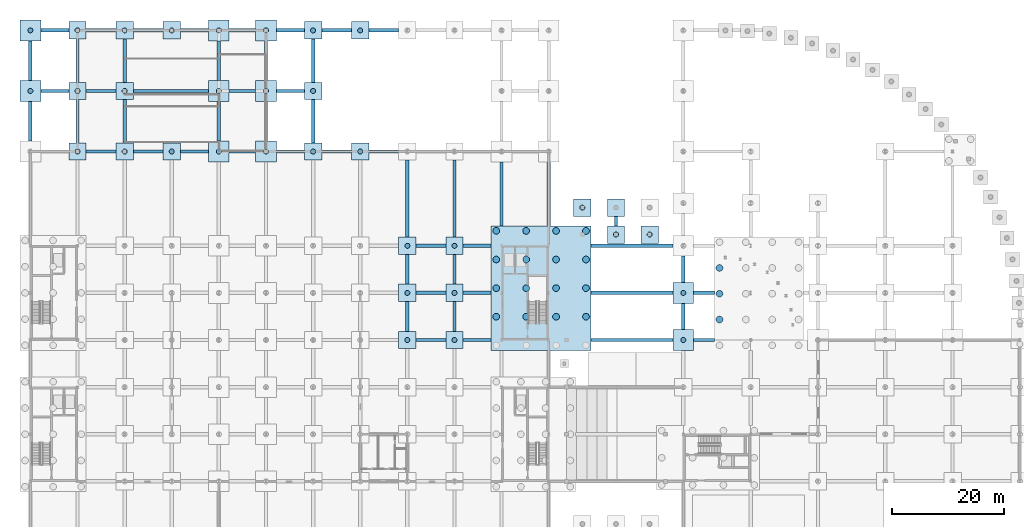
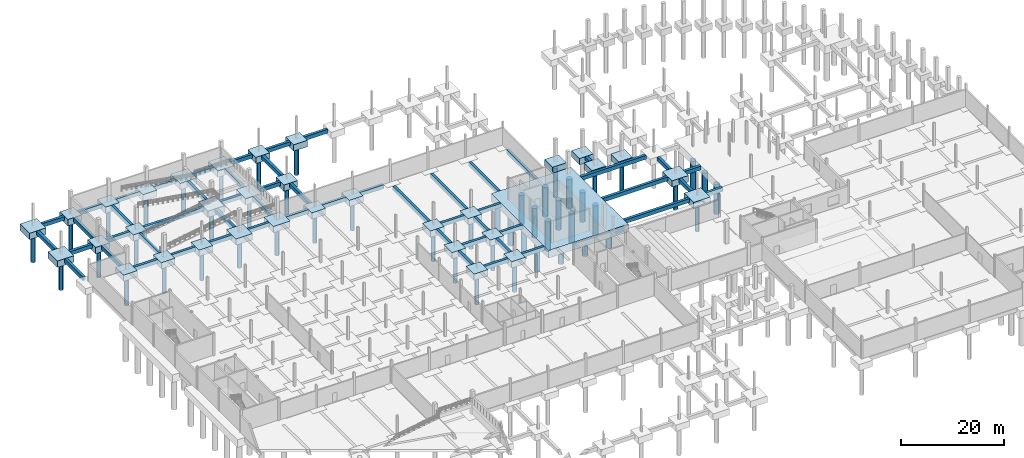
# One storey, part 4 of 36: 88 footings, 51 piles.
"""IFC4 building model written with IfcOpenShell, lengths in metres."""

from ifc_helpers import new_model, si_unit, direction, frame, origin, origin_2d, place, context, subcontext, project, spatial, rectangle, circle, extrude, material, material_profile, profile_set, type_object, element, save


model = new_model("IFC4")

# Units and contexts
model_context = context("Model", 3, precision=1e-05, world=origin(), true_north=direction((0.0, 1.0)))
body_context = subcontext(model_context, "Body", "Model", "MODEL_VIEW")
ifc_project = project(units=[si_unit("LENGTHUNIT", "METRE"), si_unit("AREAUNIT", "SQUARE_METRE"), si_unit("VOLUMEUNIT", "CUBIC_METRE"), si_unit("PLANEANGLEUNIT", "RADIAN"), si_unit("MASSUNIT", "GRAM", prefix="KILO"), si_unit("THERMODYNAMICTEMPERATUREUNIT", "KELVIN"), si_unit("POWERUNIT", "WATT")], contexts=[model_context])

# Site, building, storey
site_placement = place(None, origin())
site = spatial("IfcSite", under=ifc_project, at=site_placement, CompositionType="ELEMENT")
building_placement = place(site_placement, origin())
building = spatial("IfcBuilding", under=site, at=building_placement, Name="Tembeka Court Mobility Hub", CompositionType="ELEMENT")
storey_placement = place(building_placement, frame((0.0, 0.0, -5.39990234375)))
storey = spatial("IfcBuildingStorey", under=building, at=storey_placement, Name="B1", CompositionType="ELEMENT", Elevation=-5.39990234375)

# Footings
ifc_material = material(Name="Concrete C40/50", Category="concrete")
footing_type_1 = type_object("IfcFootingType", Name="FT-GB01", PredefinedType="FOOTING_BEAM", material=ifc_material)
footing_1_placement = place(storey_placement, frame((71.39990234375, 63.60009765625, -0.900146484375), z_axis=(0.0, 0.0, 1.0), x_axis=(1.0, 0.0, 0.0)))
element("IfcFooting", 1, at=footing_1_placement, inside=storey, type_object=footing_type_1, Name="Ground tie beam GB01 X-093", PredefinedType="FOOTING_BEAM", context=body_context, shape_type="SweptSolid", body=[
    extrude(rectangle(XDim=5.300048828125, YDim=0.60009765625, at=origin_2d()), origin(), (0.0, 0.0, 1.0), 0.89990234375),
])
footing_2_placement = place(storey_placement, frame((79.64990234375, 63.60009765625, -0.900146484375), z_axis=(0.0, 0.0, 1.0), x_axis=(1.0, 0.0, 0.0)))
element("IfcFooting", 2, at=footing_2_placement, inside=storey, type_object=footing_type_1, Name="Ground tie beam GB01 X-094", PredefinedType="FOOTING_BEAM", context=body_context, shape_type="SweptSolid", body=[
    extrude(rectangle(XDim=5.0, YDim=0.60009765625, at=origin_2d()), origin(), (0.0, 0.0, 1.0), 0.89990234375),
])
footing_3_placement = place(storey_placement, frame((107.25, 63.60009765625, -0.900146484375), z_axis=(0.0, 0.0, 1.0), x_axis=(1.0, 0.0, 0.0)))
element("IfcFooting", 3, at=footing_3_placement, inside=storey, type_object=footing_type_1, Name="Ground tie beam GB01 X-095", PredefinedType="FOOTING_BEAM", context=body_context, shape_type="SweptSolid", body=[
    extrude(rectangle(XDim=14.60009765625, YDim=0.60009765625, at=origin_2d()), origin(), (0.0, 0.0, 1.0), 0.89990234375),
])
footing_4_placement = place(storey_placement, frame((120.10009765625, 63.60009765625, -0.900146484375), z_axis=(0.0, 0.0, 1.0), x_axis=(1.0, 0.0, 0.0)))
element("IfcFooting", 4, at=footing_4_placement, inside=storey, type_object=footing_type_1, Name="Ground tie beam GB01 X-096", PredefinedType="FOOTING_BEAM", context=body_context, shape_type="SweptSolid", body=[
    extrude(rectangle(XDim=3.699951171875, YDim=0.60009765625, at=origin_2d()), origin(), (0.0, 0.0, 1.0), 0.89990234375),
])
footing_5_placement = place(storey_placement, frame((71.39990234375, 72.0, -0.900146484375), z_axis=(0.0, 0.0, 1.0), x_axis=(1.0, 0.0, 0.0)))
element("IfcFooting", 5, at=footing_5_placement, inside=storey, type_object=footing_type_1, Name="Ground tie beam GB01 X-107", PredefinedType="FOOTING_BEAM", context=body_context, shape_type="SweptSolid", body=[
    extrude(rectangle(XDim=5.300048828125, YDim=0.60009765625, at=origin_2d()), origin(), (0.0, 0.0, 1.0), 0.89990234375),
])
footing_6_placement = place(storey_placement, frame((79.64990234375, 72.0, -0.900146484375), z_axis=(0.0, 0.0, 1.0), x_axis=(1.0, 0.0, 0.0)))
element("IfcFooting", 6, at=footing_6_placement, inside=storey, type_object=footing_type_1, Name="Ground tie beam GB01 X-108", PredefinedType="FOOTING_BEAM", context=body_context, shape_type="SweptSolid", body=[
    extrude(rectangle(XDim=5.0, YDim=0.60009765625, at=origin_2d()), origin(), (0.0, 0.0, 1.0), 0.89990234375),
])
footing_7_placement = place(storey_placement, frame((107.25, 72.0, -0.900146484375), z_axis=(0.0, 0.0, 1.0), x_axis=(1.0, 0.0, 0.0)))
element("IfcFooting", 7, at=footing_7_placement, inside=storey, type_object=footing_type_1, Name="Ground tie beam GB01 X-109", PredefinedType="FOOTING_BEAM", context=body_context, shape_type="SweptSolid", body=[
    extrude(rectangle(XDim=14.60009765625, YDim=0.60009765625, at=origin_2d()), origin(), (0.0, 0.0, 1.0), 0.89990234375),
])
footing_8_placement = place(storey_placement, frame((120.10009765625, 72.0, -0.900146484375), z_axis=(0.0, 0.0, 1.0), x_axis=(1.0, 0.0, 0.0)))
element("IfcFooting", 8, at=footing_8_placement, inside=storey, type_object=footing_type_1, Name="Ground tie beam GB01 X-110", PredefinedType="FOOTING_BEAM", context=body_context, shape_type="SweptSolid", body=[
    extrude(rectangle(XDim=3.699951171875, YDim=0.60009765625, at=origin_2d()), origin(), (0.0, 0.0, 1.0), 0.89990234375),
])
footing_9_placement = place(storey_placement, frame((71.39990234375, 80.39990234375, -0.900146484375), z_axis=(0.0, 0.0, 1.0), x_axis=(1.0, 0.0, 0.0)))
element("IfcFooting", 9, at=footing_9_placement, inside=storey, type_object=footing_type_1, Name="Ground tie beam GB01 X-121", PredefinedType="FOOTING_BEAM", context=body_context, shape_type="SweptSolid", body=[
    extrude(rectangle(XDim=5.300048828125, YDim=0.60009765625, at=origin_2d()), origin(), (0.0, 0.0, 1.0), 0.89990234375),
])
footing_10_placement = place(storey_placement, frame((79.64990234375, 80.39990234375, -0.900146484375), z_axis=(0.0, 0.0, 1.0), x_axis=(1.0, 0.0, 0.0)))
element("IfcFooting", 10, at=footing_10_placement, inside=storey, type_object=footing_type_1, Name="Ground tie beam GB01 X-122", PredefinedType="FOOTING_BEAM", context=body_context, shape_type="SweptSolid", body=[
    extrude(rectangle(XDim=5.0, YDim=0.60009765625, at=origin_2d()), origin(), (0.0, 0.0, 1.0), 0.89990234375),
])
footing_11_placement = place(storey_placement, frame((107.25, 80.39990234375, -0.900146484375), z_axis=(0.0, 0.0, 1.0), x_axis=(1.0, 0.0, 0.0)))
element("IfcFooting", 11, at=footing_11_placement, inside=storey, type_object=footing_type_1, Name="Ground tie beam GB01 X-123", PredefinedType="FOOTING_BEAM", context=body_context, shape_type="SweptSolid", body=[
    extrude(rectangle(XDim=14.60009765625, YDim=0.60009765625, at=origin_2d()), origin(), (0.0, 0.0, 1.0), 0.89990234375),
])
for number, where, z_axis, x_axis, name in (
    (12, (12.60009765625, 97.199951171875, -0.900146484375), (0.0, 0.0, 1.0), (1.0, 0.0, 0.0), "Ground tie beam GB01 X-129"),
    (13, (21.0, 97.199951171875, -0.900146484375), (0.0, 0.0, 1.0), (1.0, 0.0, 0.0), "Ground tie beam GB01 X-130"),
):
    element("IfcFooting", number, at=place(storey_placement, frame(where, z_axis=z_axis, x_axis=x_axis)), inside=storey, type_object=footing_type_1, Name=name, PredefinedType="FOOTING_BEAM", context=body_context, shape_type="SweptSolid", body=[
        extrude(rectangle(XDim=5.300048828125, YDim=0.60009765625, at=origin_2d()), origin(), (0.0, 0.0, 1.0), 0.89990234375),
    ])
footing_12_placement = place(storey_placement, frame((29.25, 97.199951171875, -0.900146484375), z_axis=(0.0, 0.0, 1.0), x_axis=(1.0, 0.0, 0.0)))
element("IfcFooting", 14, at=footing_12_placement, inside=storey, type_object=footing_type_1, Name="Ground tie beam GB01 X-131", PredefinedType="FOOTING_BEAM", context=body_context, shape_type="SweptSolid", body=[
    extrude(rectangle(XDim=5.0, YDim=0.60009765625, at=origin_2d()), origin(), (0.0, 0.0, 1.0), 0.89990234375),
])
footing_13_placement = place(storey_placement, frame((37.800048828125, 97.199951171875, -0.900146484375), z_axis=(0.0, 0.0, 1.0), x_axis=(1.0, 0.0, 0.0)))
element("IfcFooting", 15, at=footing_13_placement, inside=storey, type_object=footing_type_1, Name="Ground tie beam GB01 X-132", PredefinedType="FOOTING_BEAM", context=body_context, shape_type="SweptSolid", body=[
    extrude(rectangle(XDim=4.699951171875, YDim=0.60009765625, at=origin_2d()), origin(), (0.0, 0.0, 1.0), 0.89990234375),
])
footing_14_placement = place(storey_placement, frame((46.35009765625, 97.199951171875, -0.900146484375), z_axis=(0.0, 0.0, 1.0), x_axis=(1.0, 0.0, 0.0)))
element("IfcFooting", 16, at=footing_14_placement, inside=storey, type_object=footing_type_1, Name="Ground tie beam GB01 X-133", PredefinedType="FOOTING_BEAM", context=body_context, shape_type="SweptSolid", body=[
    extrude(rectangle(XDim=5.0, YDim=0.60009765625, at=origin_2d()), origin(), (0.0, 0.0, 1.0), 0.89990234375),
])
for number, where, z_axis, x_axis, name in (
    (17, (54.60009765625, 97.199951171875, -0.900146484375), (0.0, 0.0, 1.0), (1.0, 0.0, 0.0), "Ground tie beam GB01 X-134"),
    (18, (63.0, 97.199951171875, -0.900146484375), (0.0, 0.0, 1.0), (1.0, 0.0, 0.0), "Ground tie beam GB01 X-135"),
):
    element("IfcFooting", number, at=place(storey_placement, frame(where, z_axis=z_axis, x_axis=x_axis)), inside=storey, type_object=footing_type_1, Name=name, PredefinedType="FOOTING_BEAM", context=body_context, shape_type="SweptSolid", body=[
        extrude(rectangle(XDim=5.300048828125, YDim=0.60009765625, at=origin_2d()), origin(), (0.0, 0.0, 1.0), 0.89990234375),
    ])
footing_15_placement = place(storey_placement, frame((4.35009765625, 108.0, -0.900146484375), z_axis=(0.0, 0.0, 1.0), x_axis=(1.0, 0.0, 0.0)))
element("IfcFooting", 19, at=footing_15_placement, inside=storey, type_object=footing_type_1, Name="Ground tie beam GB01 X-141", PredefinedType="FOOTING_BEAM", context=body_context, shape_type="SweptSolid", body=[
    extrude(rectangle(XDim=5.0, YDim=0.60009765625, at=origin_2d()), origin(), (0.0, 0.0, 1.0), 0.89990234375),
])
footing_16_placement = place(storey_placement, frame((12.60009765625, 108.0, -0.900146484375), z_axis=(0.0, 0.0, 1.0), x_axis=(1.0, 0.0, 0.0)))
element("IfcFooting", 20, at=footing_16_placement, inside=storey, type_object=footing_type_1, Name="Ground tie beam GB01 X-142", PredefinedType="FOOTING_BEAM", context=body_context, shape_type="SweptSolid", body=[
    extrude(rectangle(XDim=5.300048828125, YDim=0.60009765625, at=origin_2d()), origin(), (0.0, 0.0, 1.0), 0.89990234375),
])
footing_17_placement = place(storey_placement, frame((25.050048828125, 108.0, -0.900146484375), z_axis=(0.0, 0.0, 1.0), x_axis=(1.0, 0.0, 0.0)))
element("IfcFooting", 21, at=footing_17_placement, inside=storey, type_object=footing_type_1, Name="Ground tie beam GB01 X-143", PredefinedType="FOOTING_BEAM", context=body_context, shape_type="SweptSolid", body=[
    extrude(rectangle(XDim=13.39990234375, YDim=0.60009765625, at=origin_2d()), origin(), (0.0, 0.0, 1.0), 0.89990234375),
])
footing_18_placement = place(storey_placement, frame((37.800048828125, 108.0, -0.900146484375), z_axis=(0.0, 0.0, 1.0), x_axis=(1.0, 0.0, 0.0)))
element("IfcFooting", 22, at=footing_18_placement, inside=storey, type_object=footing_type_1, Name="Ground tie beam GB01 X-144", PredefinedType="FOOTING_BEAM", context=body_context, shape_type="SweptSolid", body=[
    extrude(rectangle(XDim=4.699951171875, YDim=0.60009765625, at=origin_2d()), origin(), (0.0, 0.0, 1.0), 0.89990234375),
])
for number, where, z_axis, x_axis, name in (
    (23, (46.35009765625, 108.0, -0.900146484375), (0.0, 0.0, 1.0), (1.0, 0.0, 0.0), "Ground tie beam GB01 X-145"),
    (24, (4.35009765625, 118.800048828125, -0.900146484375), (0.0, 0.0, 1.0), (1.0, 0.0, 0.0), "Ground tie beam GB01 X-147"),
):
    element("IfcFooting", number, at=place(storey_placement, frame(where, z_axis=z_axis, x_axis=x_axis)), inside=storey, type_object=footing_type_1, Name=name, PredefinedType="FOOTING_BEAM", context=body_context, shape_type="SweptSolid", body=[
        extrude(rectangle(XDim=5.0, YDim=0.60009765625, at=origin_2d()), origin(), (0.0, 0.0, 1.0), 0.89990234375),
    ])
for number, where, z_axis, x_axis, name in (
    (25, (12.60009765625, 118.800048828125, -0.900146484375), (0.0, 0.0, 1.0), (1.0, 0.0, 0.0), "Ground tie beam GB01 X-148"),
    (26, (21.0, 118.800048828125, -0.900146484375), (0.0, 0.0, 1.0), (1.0, 0.0, 0.0), "Ground tie beam GB01 X-149"),
):
    element("IfcFooting", number, at=place(storey_placement, frame(where, z_axis=z_axis, x_axis=x_axis)), inside=storey, type_object=footing_type_1, Name=name, PredefinedType="FOOTING_BEAM", context=body_context, shape_type="SweptSolid", body=[
        extrude(rectangle(XDim=5.300048828125, YDim=0.60009765625, at=origin_2d()), origin(), (0.0, 0.0, 1.0), 0.89990234375),
    ])
footing_19_placement = place(storey_placement, frame((29.25, 118.800048828125, -0.900146484375), z_axis=(0.0, 0.0, 1.0), x_axis=(1.0, 0.0, 0.0)))
element("IfcFooting", 27, at=footing_19_placement, inside=storey, type_object=footing_type_1, Name="Ground tie beam GB01 X-150", PredefinedType="FOOTING_BEAM", context=body_context, shape_type="SweptSolid", body=[
    extrude(rectangle(XDim=5.0, YDim=0.60009765625, at=origin_2d()), origin(), (0.0, 0.0, 1.0), 0.89990234375),
])
footing_20_placement = place(storey_placement, frame((37.800048828125, 118.800048828125, -0.900146484375), z_axis=(0.0, 0.0, 1.0), x_axis=(1.0, 0.0, 0.0)))
element("IfcFooting", 28, at=footing_20_placement, inside=storey, type_object=footing_type_1, Name="Ground tie beam GB01 X-151", PredefinedType="FOOTING_BEAM", context=body_context, shape_type="SweptSolid", body=[
    extrude(rectangle(XDim=4.699951171875, YDim=0.60009765625, at=origin_2d()), origin(), (0.0, 0.0, 1.0), 0.89990234375),
])
footing_21_placement = place(storey_placement, frame((46.35009765625, 118.800048828125, -0.900146484375), z_axis=(0.0, 0.0, 1.0), x_axis=(1.0, 0.0, 0.0)))
element("IfcFooting", 29, at=footing_21_placement, inside=storey, type_object=footing_type_1, Name="Ground tie beam GB01 X-152", PredefinedType="FOOTING_BEAM", context=body_context, shape_type="SweptSolid", body=[
    extrude(rectangle(XDim=5.0, YDim=0.60009765625, at=origin_2d()), origin(), (0.0, 0.0, 1.0), 0.89990234375),
])
for number, where, z_axis, x_axis, name in (
    (30, (54.60009765625, 118.800048828125, -0.900146484375), (0.0, 0.0, 1.0), (1.0, 0.0, 0.0), "Ground tie beam GB01 X-153"),
    (31, (63.0, 118.800048828125, -0.900146484375), (0.0, 0.0, 1.0), (1.0, 0.0, 0.0), "Ground tie beam GB01 X-154"),
):
    element("IfcFooting", number, at=place(storey_placement, frame(where, z_axis=z_axis, x_axis=x_axis)), inside=storey, type_object=footing_type_1, Name=name, PredefinedType="FOOTING_BEAM", context=body_context, shape_type="SweptSolid", body=[
        extrude(rectangle(XDim=5.300048828125, YDim=0.60009765625, at=origin_2d()), origin(), (0.0, 0.0, 1.0), 0.89990234375),
    ])
for number, where, z_axis, x_axis, name in (
    (32, (0.0, 102.60009765625, -0.900146484375), (0.0, 0.0, 1.0), (0.0, 1.0, 0.0), "Ground tie beam GB01 Y-166"),
    (33, (0.0, 113.39990234375, -0.900146484375), (0.0, 0.0, 1.0), (0.0, 1.0, 0.0), "Ground tie beam GB01 Y-167"),
):
    element("IfcFooting", number, at=place(storey_placement, frame(where, z_axis=z_axis, x_axis=x_axis)), inside=storey, type_object=footing_type_1, Name=name, PredefinedType="FOOTING_BEAM", context=body_context, shape_type="SweptSolid", body=[
        extrude(rectangle(XDim=7.10009765625, YDim=0.60009765625, at=origin_2d()), origin(), (0.0, 0.0, 1.0), 0.89990234375),
    ])
for number, where, z_axis, x_axis, name in (
    (34, (8.39990234375, 102.60009765625, -0.900146484375), (0.0, 0.0, 1.0), (0.0, 1.0, 0.0), "Ground tie beam GB01 Y-173"),
    (35, (8.39990234375, 113.39990234375, -0.900146484375), (0.0, 0.0, 1.0), (0.0, 1.0, 0.0), "Ground tie beam GB01 Y-174"),
    (36, (16.800048828125, 102.60009765625, -0.900146484375), (0.0, 0.0, 1.0), (0.0, 1.0, 0.0), "Ground tie beam GB01 Y-184"),
    (37, (16.800048828125, 113.39990234375, -0.900146484375), (0.0, 0.0, 1.0), (0.0, 1.0, 0.0), "Ground tie beam GB01 Y-185"),
):
    element("IfcFooting", number, at=place(storey_placement, frame(where, z_axis=z_axis, x_axis=x_axis)), inside=storey, type_object=footing_type_1, Name=name, PredefinedType="FOOTING_BEAM", context=body_context, shape_type="SweptSolid", body=[
        extrude(rectangle(XDim=7.699951171875, YDim=0.60009765625, at=origin_2d()), origin(), (0.0, 0.0, 1.0), 0.89990234375),
    ])
for number, where, z_axis, x_axis, name in (
    (38, (33.60009765625, 102.60009765625, -0.900146484375), (0.0, 0.0, 1.0), (0.0, 1.0, 0.0), "Ground tie beam GB01 Y-202"),
    (39, (33.60009765625, 113.39990234375, -0.900146484375), (0.0, 0.0, 1.0), (0.0, 1.0, 0.0), "Ground tie beam GB01 Y-203"),
    (40, (42.0, 102.60009765625, -0.900146484375), (0.0, 0.0, 1.0), (0.0, 1.0, 0.0), "Ground tie beam GB01 Y-213"),
    (41, (42.0, 113.39990234375, -0.900146484375), (0.0, 0.0, 1.0), (0.0, 1.0, 0.0), "Ground tie beam GB01 Y-214"),
):
    element("IfcFooting", number, at=place(storey_placement, frame(where, z_axis=z_axis, x_axis=x_axis)), inside=storey, type_object=footing_type_1, Name=name, PredefinedType="FOOTING_BEAM", context=body_context, shape_type="SweptSolid", body=[
        extrude(rectangle(XDim=7.10009765625, YDim=0.60009765625, at=origin_2d()), origin(), (0.0, 0.0, 1.0), 0.89990234375),
    ])
for number, where, z_axis, x_axis, name in (
    (42, (50.39990234375, 102.60009765625, -0.900146484375), (0.0, 0.0, 1.0), (0.0, 1.0, 0.0), "Ground tie beam GB01 Y-224"),
    (43, (50.39990234375, 113.39990234375, -0.900146484375), (0.0, 0.0, 1.0), (0.0, 1.0, 0.0), "Ground tie beam GB01 Y-225"),
):
    element("IfcFooting", number, at=place(storey_placement, frame(where, z_axis=z_axis, x_axis=x_axis)), inside=storey, type_object=footing_type_1, Name=name, PredefinedType="FOOTING_BEAM", context=body_context, shape_type="SweptSolid", body=[
        extrude(rectangle(XDim=7.699951171875, YDim=0.60009765625, at=origin_2d()), origin(), (0.0, 0.0, 1.0), 0.89990234375),
    ])
for number, where, z_axis, x_axis, name in (
    (44, (67.199951171875, 67.800048828125, -0.900146484375), (0.0, 0.0, 1.0), (0.0, 1.0, 0.0), "Ground tie beam GB01 Y-237"),
    (45, (67.199951171875, 76.199951171875, -0.900146484375), (0.0, 0.0, 1.0), (0.0, 1.0, 0.0), "Ground tie beam GB01 Y-238"),
):
    element("IfcFooting", number, at=place(storey_placement, frame(where, z_axis=z_axis, x_axis=x_axis)), inside=storey, type_object=footing_type_1, Name=name, PredefinedType="FOOTING_BEAM", context=body_context, shape_type="SweptSolid", body=[
        extrude(rectangle(XDim=5.300048828125, YDim=0.60009765625, at=origin_2d()), origin(), (0.0, 0.0, 1.0), 0.89990234375),
    ])
footing_22_placement = place(storey_placement, frame((67.199951171875, 88.800048828125, -0.900146484375), z_axis=(0.0, 0.0, 1.0), x_axis=(0.0, 1.0, 0.0)))
element("IfcFooting", 46, at=footing_22_placement, inside=storey, type_object=footing_type_1, Name="Ground tie beam GB01 Y-239", PredefinedType="FOOTING_BEAM", context=body_context, shape_type="SweptSolid", body=[
    extrude(rectangle(XDim=13.699951171875, YDim=0.60009765625, at=origin_2d()), origin(), (0.0, 0.0, 1.0), 0.89990234375),
])
for number, where, z_axis, x_axis, name in (
    (47, (75.60009765625, 67.800048828125, -0.900146484375), (0.0, 0.0, 1.0), (0.0, 1.0, 0.0), "Ground tie beam GB01 Y-244"),
    (48, (75.60009765625, 76.199951171875, -0.900146484375), (0.0, 0.0, 1.0), (0.0, 1.0, 0.0), "Ground tie beam GB01 Y-245"),
):
    element("IfcFooting", number, at=place(storey_placement, frame(where, z_axis=z_axis, x_axis=x_axis)), inside=storey, type_object=footing_type_1, Name=name, PredefinedType="FOOTING_BEAM", context=body_context, shape_type="SweptSolid", body=[
        extrude(rectangle(XDim=5.300048828125, YDim=0.60009765625, at=origin_2d()), origin(), (0.0, 0.0, 1.0), 0.89990234375),
    ])
footing_23_placement = place(storey_placement, frame((75.60009765625, 88.800048828125, -0.900146484375), z_axis=(0.0, 0.0, 1.0), x_axis=(0.0, 1.0, 0.0)))
element("IfcFooting", 49, at=footing_23_placement, inside=storey, type_object=footing_type_1, Name="Ground tie beam GB01 Y-246", PredefinedType="FOOTING_BEAM", context=body_context, shape_type="SweptSolid", body=[
    extrude(rectangle(XDim=13.699951171875, YDim=0.60009765625, at=origin_2d()), origin(), (0.0, 0.0, 1.0), 0.89990234375),
])
for number, where, z_axis, x_axis, name in (
    (50, (84.0, 89.64990234375, -0.900146484375), (0.0, 0.0, 1.0), (0.0, 1.0, 0.0), "Ground tie beam GB01 Y-251"),
    (51, (92.39990234375, 89.64990234375, -0.900146484375), (0.0, 0.0, 1.0), (0.0, 1.0, 0.0), "Ground tie beam GB01 Y-258"),
):
    element("IfcFooting", number, at=place(storey_placement, frame(where, z_axis=z_axis, x_axis=x_axis)), inside=storey, type_object=footing_type_1, Name=name, PredefinedType="FOOTING_BEAM", context=body_context, shape_type="SweptSolid", body=[
        extrude(rectangle(XDim=11.39990234375, YDim=0.60009765625, at=origin_2d()), origin(), (0.0, 0.0, 1.0), 0.89990234375),
    ])
footing_24_placement = place(storey_placement, frame((104.39990234375, 84.800048828125, -0.900146484375), z_axis=(0.0, 0.0, 1.0), x_axis=(0.0, 1.0, 0.0)))
element("IfcFooting", 52, at=footing_24_placement, inside=storey, type_object=footing_type_1, Name="Ground tie beam GB01 Y-262", PredefinedType="FOOTING_BEAM", context=body_context, shape_type="SweptSolid", body=[
    extrude(rectangle(XDim=1.699951171875, YDim=0.60009765625, at=origin_2d()), origin(), (0.0, 0.0, 1.0), 0.89990234375),
])
for number, where, z_axis, x_axis, name in (
    (53, (116.39990234375, 67.800048828125, -0.900146484375), (0.0, 0.0, 1.0), (0.0, 1.0, 0.0), "Ground tie beam GB01 Y-268"),
    (54, (116.39990234375, 76.199951171875, -0.900146484375), (0.0, 0.0, 1.0), (0.0, 1.0, 0.0), "Ground tie beam GB01 Y-269"),
):
    element("IfcFooting", number, at=place(storey_placement, frame(where, z_axis=z_axis, x_axis=x_axis)), inside=storey, type_object=footing_type_1, Name=name, PredefinedType="FOOTING_BEAM", context=body_context, shape_type="SweptSolid", body=[
        extrude(rectangle(XDim=4.699951171875, YDim=0.60009765625, at=origin_2d()), origin(), (0.0, 0.0, 1.0), 0.89990234375),
    ])
footing_type_2 = type_object("IfcFootingType", Name="FT-PC01", PredefinedType="PILE_CAP", material=ifc_material)
for number, where, z_axis, x_axis, name in (
    (55, (0.0, 108.0, -1.5), (0.0, 0.0, 1.0), (1.0, 0.0, 0.0), "Pile cap PC01 (7)"),
    (56, (0.0, 118.800048828125, -1.5), (0.0, 0.0, 1.0), (1.0, 0.0, 0.0), "Pile cap PC01 (8)"),
    (57, (33.60009765625, 97.199951171875, -1.5), (0.0, 0.0, 1.0), (1.0, 0.0, 0.0), "Pile cap PC01 (46)"),
    (58, (33.60009765625, 108.0, -1.5), (0.0, 0.0, 1.0), (1.0, 0.0, 0.0), "Pile cap PC01 (47)"),
    (59, (33.60009765625, 118.800048828125, -1.5), (0.0, 0.0, 1.0), (1.0, 0.0, 0.0), "Pile cap PC01 (48)"),
    (60, (42.0, 97.199951171875, -1.5), (0.0, 0.0, 1.0), (1.0, 0.0, 0.0), "Pile cap PC01 (58)"),
    (61, (42.0, 108.0, -1.5), (0.0, 0.0, 1.0), (1.0, 0.0, 0.0), "Pile cap PC01 (59)"),
    (62, (42.0, 118.800048828125, -1.5), (0.0, 0.0, 1.0), (1.0, 0.0, 0.0), "Pile cap PC01 (60)"),
    (63, (116.39990234375, 63.60009765625, -1.5), (0.0, 0.0, 1.0), (1.0, 0.0, 0.0), "Pile cap PC01 (130)"),
    (64, (116.39990234375, 72.0, -1.5), (0.0, 0.0, 1.0), (1.0, 0.0, 0.0), "Pile cap PC01 (131)"),
):
    element("IfcFooting", number, at=place(storey_placement, frame(where, z_axis=z_axis, x_axis=x_axis)), inside=storey, type_object=footing_type_2, Name=name, PredefinedType="PILE_CAP", context=body_context, shape_type="SweptSolid", body=[
        extrude(rectangle(XDim=3.699951171875, YDim=3.699951171875, at=origin_2d()), origin(), (0.0, 0.0, 1.0), 1.5),
    ])
footing_type_3 = type_object("IfcFootingType", Name="FT-PC03", PredefinedType="PILE_CAP", material=ifc_material)
for number, where, z_axis, x_axis, name in (
    (65, (8.39990234375, 97.199951171875, -1.5), (0.0, 0.0, 1.0), (1.0, 0.0, 0.0), "Pile cap PC03 (12)"),
    (66, (8.39990234375, 108.0, -1.5), (0.0, 0.0, 1.0), (1.0, 0.0, 0.0), "Pile cap PC03 (13)"),
    (67, (8.39990234375, 118.800048828125, -1.5), (0.0, 0.0, 1.0), (1.0, 0.0, 0.0), "Pile cap PC03 (14)"),
    (68, (16.800048828125, 97.199951171875, -1.5), (0.0, 0.0, 1.0), (1.0, 0.0, 0.0), "Pile cap PC03 (24)"),
    (69, (16.800048828125, 108.0, -1.5), (0.0, 0.0, 1.0), (1.0, 0.0, 0.0), "Pile cap PC03 (25)"),
    (70, (16.800048828125, 118.800048828125, -1.5), (0.0, 0.0, 1.0), (1.0, 0.0, 0.0), "Pile cap PC03 (26)"),
    (71, (25.199951171875, 97.199951171875, -1.5), (0.0, 0.0, 1.0), (1.0, 0.0, 0.0), "Pile cap PC03 (35)"),
    (72, (25.199951171875, 118.800048828125, -1.5), (0.0, 0.0, 1.0), (1.0, 0.0, 0.0), "Pile cap PC03 (36)"),
    (73, (50.39990234375, 97.199951171875, -1.5), (0.0, 0.0, 1.0), (1.0, 0.0, 0.0), "Pile cap PC03 (70)"),
    (74, (50.39990234375, 108.0, -1.5), (0.0, 0.0, 1.0), (1.0, 0.0, 0.0), "Pile cap PC03 (71)"),
    (75, (50.39990234375, 118.800048828125, -1.5), (0.0, 0.0, 1.0), (1.0, 0.0, 0.0), "Pile cap PC03 (72)"),
    (76, (58.800048828125, 97.199951171875, -1.5), (0.0, 0.0, 1.0), (1.0, 0.0, 0.0), "Pile cap PC03 (81)"),
    (77, (58.800048828125, 118.800048828125, -1.5), (0.0, 0.0, 1.0), (1.0, 0.0, 0.0), "Pile cap PC03 (82)"),
    (78, (67.199951171875, 63.60009765625, -1.5), (0.0, 0.0, 1.0), (1.0, 0.0, 0.0), "Pile cap PC03 (88)"),
    (79, (67.199951171875, 72.0, -1.5), (0.0, 0.0, 1.0), (1.0, 0.0, 0.0), "Pile cap PC03 (89)"),
    (80, (67.199951171875, 80.39990234375, -1.5), (0.0, 0.0, 1.0), (1.0, 0.0, 0.0), "Pile cap PC03 (90)"),
    (81, (75.60009765625, 63.60009765625, -1.5), (0.0, 0.0, 1.0), (1.0, 0.0, 0.0), "Pile cap PC03 (98)"),
    (82, (75.60009765625, 72.0, -1.5), (0.0, 0.0, 1.0), (1.0, 0.0, 0.0), "Pile cap PC03 (99)"),
    (83, (75.60009765625, 80.39990234375, -1.5), (0.0, 0.0, 1.0), (1.0, 0.0, 0.0), "Pile cap PC03 (100)"),
    (84, (98.39990234375, 87.199951171875, -1.5), (0.0, 0.0, 1.0), (1.0, 0.0, 0.0), "Pile cap PC03 (119)"),
    (85, (104.39990234375, 82.39990234375, -1.5), (0.0, 0.0, 1.0), (1.0, 0.0, 0.0), "Pile cap PC03 (122)"),
    (86, (104.39990234375, 87.199951171875, -1.5), (0.0, 0.0, 1.0), (1.0, 0.0, 0.0), "Pile cap PC03 (123)"),
    (87, (110.39990234375, 82.39990234375, -1.5), (0.0, 0.0, 1.0), (1.0, 0.0, 0.0), "Pile cap PC03 (126)"),
):
    element("IfcFooting", number, at=place(storey_placement, frame(where, z_axis=z_axis, x_axis=x_axis)), inside=storey, type_object=footing_type_3, Name=name, PredefinedType="PILE_CAP", context=body_context, shape_type="SweptSolid", body=[
        extrude(rectangle(XDim=3.10009765625, YDim=3.10009765625, at=origin_2d()), origin(), (0.0, 0.0, 1.0), 1.5),
    ])
footing_type_4 = type_object("IfcFootingType", Name="FT-PC05", PredefinedType="PILE_CAP", material=ifc_material)
footing_25_placement = place(storey_placement, frame((91.050048828125, 72.85009765625, -1.80029296875), z_axis=(0.0, 0.0, 1.0), x_axis=(0.0, 1.0, 0.0)))
element("IfcFooting", 88, at=footing_25_placement, inside=storey, type_object=footing_type_4, Name="Pile cap PC05 (107)", PredefinedType="PILE_CAP", context=body_context, shape_type="SweptSolid", body=[
    extrude(rectangle(XDim=22.199951171875, YDim=17.800048828125, at=origin_2d()), origin(), (0.0, 0.0, 1.0), 1.800048828125),
])

# Piles
ifc_material_profile_1 = material_profile(ifc_material, circle(Radius=0.449951171875, at=origin_2d()), Name="PILE D900")
ifc_profile_set_1 = profile_set([ifc_material_profile_1], Name="Concrete C40/50")
pile_type_1 = type_object("IfcPileType", Name="PILE-P02", PredefinedType="BORED", material=ifc_profile_set_1)
for number, where, z_axis, x_axis, name in (
    (89, (0.0, 108.0, -1.400146484375), (0.0, 0.0, -1.0), (1.0, 0.0, 0.0), "Bored pile P02 under CAP-007"),
    (90, (0.0, 118.800048828125, -1.400146484375), (0.0, 0.0, -1.0), (1.0, 0.0, 0.0), "Bored pile P02 under CAP-008"),
    (91, (8.39990234375, 97.199951171875, -1.400146484375), (0.0, 0.0, -1.0), (1.0, 0.0, 0.0), "Bored pile P02 under CAP-012"),
    (92, (8.39990234375, 108.0, -1.400146484375), (0.0, 0.0, -1.0), (1.0, 0.0, 0.0), "Bored pile P02 under CAP-013"),
    (93, (8.39990234375, 118.800048828125, -1.400146484375), (0.0, 0.0, -1.0), (1.0, 0.0, 0.0), "Bored pile P02 under CAP-014"),
    (94, (16.800048828125, 97.199951171875, -1.400146484375), (0.0, 0.0, -1.0), (1.0, 0.0, 0.0), "Bored pile P02 under CAP-024"),
    (95, (16.800048828125, 108.0, -1.400146484375), (0.0, 0.0, -1.0), (1.0, 0.0, 0.0), "Bored pile P02 under CAP-025"),
    (96, (16.800048828125, 118.800048828125, -1.400146484375), (0.0, 0.0, -1.0), (1.0, 0.0, 0.0), "Bored pile P02 under CAP-026"),
    (97, (25.199951171875, 97.199951171875, -1.400146484375), (0.0, 0.0, -1.0), (1.0, 0.0, 0.0), "Bored pile P02 under CAP-035"),
    (98, (25.199951171875, 118.800048828125, -1.400146484375), (0.0, 0.0, -1.0), (1.0, 0.0, 0.0), "Bored pile P02 under CAP-036"),
    (99, (33.60009765625, 97.199951171875, -1.400146484375), (0.0, 0.0, -1.0), (1.0, 0.0, 0.0), "Bored pile P02 under CAP-046"),
    (100, (33.60009765625, 108.0, -1.400146484375), (0.0, 0.0, -1.0), (1.0, 0.0, 0.0), "Bored pile P02 under CAP-047"),
    (101, (33.60009765625, 118.800048828125, -1.400146484375), (0.0, 0.0, -1.0), (1.0, 0.0, 0.0), "Bored pile P02 under CAP-048"),
    (102, (42.0, 97.199951171875, -1.400146484375), (0.0, 0.0, -1.0), (1.0, 0.0, 0.0), "Bored pile P02 under CAP-058"),
    (103, (42.0, 108.0, -1.400146484375), (0.0, 0.0, -1.0), (1.0, 0.0, 0.0), "Bored pile P02 under CAP-059"),
    (104, (42.0, 118.800048828125, -1.400146484375), (0.0, 0.0, -1.0), (1.0, 0.0, 0.0), "Bored pile P02 under CAP-060"),
    (105, (50.39990234375, 97.199951171875, -1.400146484375), (0.0, 0.0, -1.0), (1.0, 0.0, 0.0), "Bored pile P02 under CAP-070"),
    (106, (50.39990234375, 108.0, -1.400146484375), (0.0, 0.0, -1.0), (1.0, 0.0, 0.0), "Bored pile P02 under CAP-071"),
    (107, (50.39990234375, 118.800048828125, -1.400146484375), (0.0, 0.0, -1.0), (1.0, 0.0, 0.0), "Bored pile P02 under CAP-072"),
    (108, (58.800048828125, 97.199951171875, -1.400146484375), (0.0, 0.0, -1.0), (1.0, 0.0, 0.0), "Bored pile P02 under CAP-081"),
    (109, (58.800048828125, 118.800048828125, -1.400146484375), (0.0, 0.0, -1.0), (1.0, 0.0, 0.0), "Bored pile P02 under CAP-082"),
    (110, (67.199951171875, 63.60009765625, -1.400146484375), (0.0, 0.0, -1.0), (1.0, 0.0, 0.0), "Bored pile P02 under CAP-088"),
    (111, (67.199951171875, 72.0, -1.400146484375), (0.0, 0.0, -1.0), (1.0, 0.0, 0.0), "Bored pile P02 under CAP-089"),
    (112, (67.199951171875, 80.39990234375, -1.400146484375), (0.0, 0.0, -1.0), (1.0, 0.0, 0.0), "Bored pile P02 under CAP-090"),
    (113, (75.60009765625, 63.60009765625, -1.400146484375), (0.0, 0.0, -1.0), (1.0, 0.0, 0.0), "Bored pile P02 under CAP-098"),
    (114, (75.60009765625, 72.0, -1.400146484375), (0.0, 0.0, -1.0), (1.0, 0.0, 0.0), "Bored pile P02 under CAP-099"),
    (115, (75.60009765625, 80.39990234375, -1.400146484375), (0.0, 0.0, -1.0), (1.0, 0.0, 0.0), "Bored pile P02 under CAP-100"),
    (116, (98.39990234375, 87.199951171875, -1.400146484375), (0.0, 0.0, -1.0), (1.0, 0.0, 0.0), "Bored pile P02 under CAP-119"),
    (117, (104.39990234375, 82.39990234375, -1.400146484375), (0.0, 0.0, -1.0), (1.0, 0.0, 0.0), "Bored pile P02 under CAP-122"),
    (118, (110.39990234375, 82.39990234375, -1.400146484375), (0.0, 0.0, -1.0), (1.0, 0.0, 0.0), "Bored pile P02 under CAP-126"),
    (119, (116.39990234375, 63.60009765625, -1.400146484375), (0.0, 0.0, -1.0), (1.0, 0.0, 0.0), "Bored pile P02 under CAP-130"),
    (120, (116.39990234375, 72.0, -1.400146484375), (0.0, 0.0, -1.0), (1.0, 0.0, 0.0), "Bored pile P02 under CAP-131"),
):
    element("IfcPile", number, at=place(storey_placement, frame(where, z_axis=z_axis, x_axis=x_axis)), inside=storey, type_object=pile_type_1, Name=name, PredefinedType="BORED", context=body_context, shape_type="SweptSolid", body=[
        extrude(circle(Radius=0.449951171875, at=origin_2d()), origin(), (0.0, 0.0, 1.0), 7.0),
    ])
ifc_material_profile_2 = material_profile(ifc_material, circle(Radius=0.60009765625, at=origin_2d()), Name="PILE D1200")
ifc_profile_set_2 = profile_set([ifc_material_profile_2], Name="Concrete C40/50")
pile_type_2 = type_object("IfcPileType", Name="PILE-P04", PredefinedType="BORED", material=ifc_profile_set_2)
for number, where, z_axis, x_axis, name in (
    (121, (83.050048828125, 67.75, -1.7001953125), (0.0, 0.0, -1.0), (1.0, 0.0, 0.0), "Bored pile P04 under CAP-107"),
    (122, (83.050048828125, 72.85009765625, -1.7001953125), (0.0, 0.0, -1.0), (1.0, 0.0, 0.0), "Bored pile P04 under CAP-107"),
    (123, (83.050048828125, 77.949951171875, -1.7001953125), (0.0, 0.0, -1.0), (1.0, 0.0, 0.0), "Bored pile P04 under CAP-107"),
    (124, (83.050048828125, 83.050048828125, -1.7001953125), (0.0, 0.0, -1.0), (1.0, 0.0, 0.0), "Bored pile P04 under CAP-107"),
    (125, (88.38330078125, 67.75, -1.7001953125), (0.0, 0.0, -1.0), (1.0, 0.0, 0.0), "Bored pile P04 under CAP-107"),
    (126, (88.38330078125, 72.85009765625, -1.7001953125), (0.0, 0.0, -1.0), (1.0, 0.0, 0.0), "Bored pile P04 under CAP-107"),
    (127, (88.38330078125, 77.949951171875, -1.7001953125), (0.0, 0.0, -1.0), (1.0, 0.0, 0.0), "Bored pile P04 under CAP-107"),
    (128, (88.38330078125, 83.050048828125, -1.7001953125), (0.0, 0.0, -1.0), (1.0, 0.0, 0.0), "Bored pile P04 under CAP-107"),
    (129, (93.716796875, 67.75, -1.7001953125), (0.0, 0.0, -1.0), (1.0, 0.0, 0.0), "Bored pile P04 under CAP-107"),
    (130, (93.716796875, 72.85009765625, -1.7001953125), (0.0, 0.0, -1.0), (1.0, 0.0, 0.0), "Bored pile P04 under CAP-107"),
    (131, (93.716796875, 77.949951171875, -1.7001953125), (0.0, 0.0, -1.0), (1.0, 0.0, 0.0), "Bored pile P04 under CAP-107"),
    (132, (93.716796875, 83.050048828125, -1.7001953125), (0.0, 0.0, -1.0), (1.0, 0.0, 0.0), "Bored pile P04 under CAP-107"),
    (133, (99.050048828125, 67.75, -1.7001953125), (0.0, 0.0, -1.0), (1.0, 0.0, 0.0), "Bored pile P04 under CAP-107"),
    (134, (99.050048828125, 72.85009765625, -1.7001953125), (0.0, 0.0, -1.0), (1.0, 0.0, 0.0), "Bored pile P04 under CAP-107"),
    (135, (99.050048828125, 77.949951171875, -1.7001953125), (0.0, 0.0, -1.0), (1.0, 0.0, 0.0), "Bored pile P04 under CAP-107"),
    (136, (99.050048828125, 83.050048828125, -1.7001953125), (0.0, 0.0, -1.0), (1.0, 0.0, 0.0), "Bored pile P04 under CAP-107"),
    (137, (122.85009765625, 67.25, -1.7001953125), (0.0, 0.0, -1.0), (1.0, 0.0, 0.0), "Bored pile P04 under CAP-140"),
    (138, (122.85009765625, 71.85009765625, -1.7001953125), (0.0, 0.0, -1.0), (1.0, 0.0, 0.0), "Bored pile P04 under CAP-140"),
    (139, (122.85009765625, 76.449951171875, -1.7001953125), (0.0, 0.0, -1.0), (1.0, 0.0, 0.0), "Bored pile P04 under CAP-140"),
):
    element("IfcPile", number, at=place(storey_placement, frame(where, z_axis=z_axis, x_axis=x_axis)), inside=storey, type_object=pile_type_2, Name=name, PredefinedType="BORED", context=body_context, shape_type="SweptSolid", body=[
        extrude(circle(Radius=0.60009765625, at=origin_2d()), origin(), (0.0, 0.0, 1.0), 7.0),
    ])

save(model, "model.ifc")
